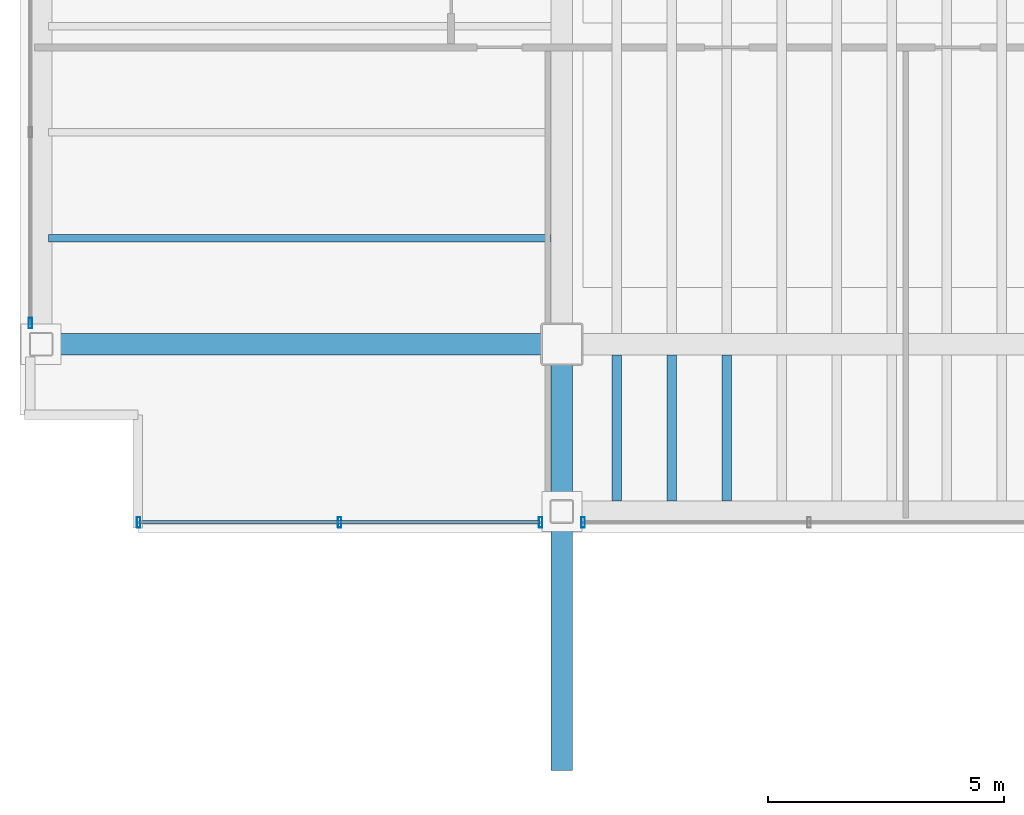
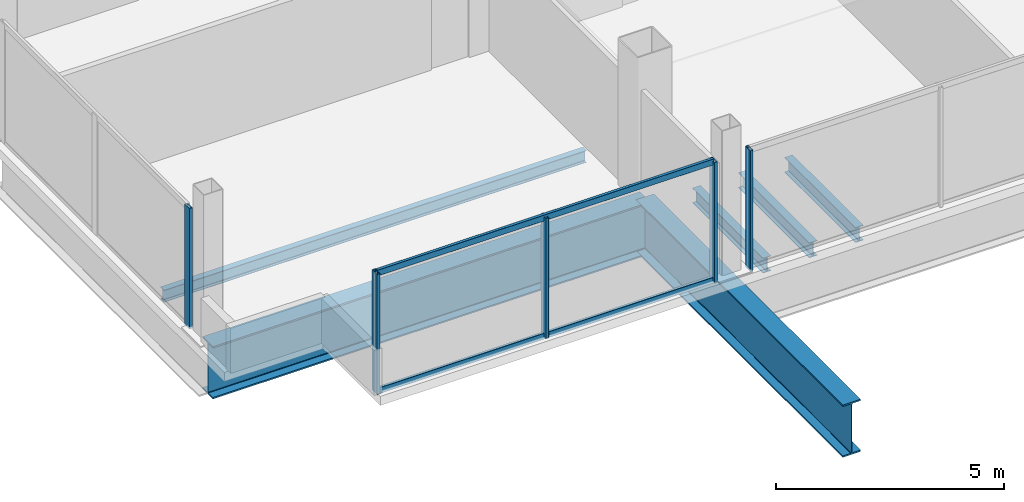
# One storey, part 2 of 24: 7 members, 6 beams, 3 elements without a shape of their own.
"""IFC4 building model written with IfcOpenShell, lengths in metres."""

import ifcopenshell
import ifcopenshell.guid

model = None  # the IFC model being written
_history = None  # IfcOwnerHistory: only IFC2X3 demands one
_inside = {}  # id of a spatial element -> (the spatial element, [elements in it])
_under = {}  # id of a project, library or spatial element -> (it, [spatial elements below it])
_declared = {}  # id of a project -> (the project, [libraries it declares])
_typed = {}  # id of a type object -> (the type object, [elements of that type])
_made_of = {}  # id of a material, layer set ... -> (it, [elements and type objects made of it])


def new_model(schema):
    """Start an empty IFC model of exactly this schema.

    Asked for "IFC4X3", IfcOpenShell would pick the latest addendum, in which some entities
    have other attributes; the version numbers below select the first issue.
    IFC2X3 requires an IfcOwnerHistory on every rooted entity: one is made here for all.
    """
    global model, _history
    if schema == "IFC4X3":
        model = ifcopenshell.file(schema_version=(4, 3, 0, 0))
    else:
        model = ifcopenshell.file(schema=schema)
    _inside.clear()
    _under.clear()
    _declared.clear()
    _typed.clear()
    _made_of.clear()
    _history = None
    if model.schema == "IFC2X3":
        org = make("IfcOrganization", Name="unknown")
        user = make(
            "IfcPersonAndOrganization",
            ThePerson=make("IfcPerson", FamilyName="unknown"),
            TheOrganization=org,
        )
        app = make(
            "IfcApplication",
            ApplicationDeveloper=org,
            Version="unknown",
            ApplicationFullName="unknown",
            ApplicationIdentifier="unknown",
        )
        _history = make(
            "IfcOwnerHistory",
            OwningUser=user,
            OwningApplication=app,
            ChangeAction="ADDED",
            CreationDate=0,
        )
    return model


def make(cls, **values):
    """One entity of the class cls with the attributes given. An attribute that is None is left unset."""
    return model.create_entity(
        cls, **{name: value for name, value in values.items() if value is not None}
    )


def rooted(cls, **values):
    """An entity with a GlobalId (a new one), such as an element, a storey or a relation."""
    return make(cls, GlobalId=ifcopenshell.guid.new(), OwnerHistory=_history, **values)


def si_unit(unit_type, name, prefix=None):
    """IfcSIUnit, for example si_unit("LENGTHUNIT", "METRE", prefix="MILLI")."""
    return make("IfcSIUnit", UnitType=unit_type, Prefix=prefix, Name=name)


def assignment(units):
    """IfcUnitAssignment: the units of a project."""
    return None if units is None else make("IfcUnitAssignment", Units=units)


def point(xyz):
    """IfcCartesianPoint."""
    return None if xyz is None else make("IfcCartesianPoint", Coordinates=xyz)


def direction(xyz):
    """IfcDirection."""
    return None if xyz is None else make("IfcDirection", DirectionRatios=xyz)


def frame(location, z_axis=None, x_axis=None):
    """IfcAxis2Placement3D, a coordinate frame: its origin and axes. An axis left out is left unset."""
    return make(
        "IfcAxis2Placement3D",
        Location=point(location),
        Axis=direction(z_axis),
        RefDirection=direction(x_axis),
    )


def frame_2d(location, x_axis=None):
    """IfcAxis2Placement2D, a coordinate frame in the plane: its origin and x axis."""
    return make(
        "IfcAxis2Placement2D", Location=point(location), RefDirection=direction(x_axis)
    )


def origin():
    """The frame at (0, 0, 0) with its axes left unset."""
    return frame((0.0, 0.0, 0.0))


def origin_2d():
    """The frame at (0, 0) in the plane with its x axis left unset."""
    return frame_2d((0.0, 0.0))


def place(relative_to, where):
    """IfcLocalPlacement: puts the frame where relative to a parent placement (None: the world)."""
    return make(
        "IfcLocalPlacement", PlacementRelTo=relative_to, RelativePlacement=where
    )


def context(
    kind, dimensions, precision=None, world=None, true_north=None, identifier=None
):
    """IfcGeometricRepresentationContext, for example the 3D "Model" context."""
    return make(
        "IfcGeometricRepresentationContext",
        ContextIdentifier=identifier,
        ContextType=kind,
        CoordinateSpaceDimension=dimensions,
        Precision=precision,
        WorldCoordinateSystem=world,
        TrueNorth=true_north,
    )


def subcontext(parent, identifier, kind, view, scale=None):
    """IfcGeometricRepresentationSubContext, for example "Body" below "Model"."""
    return make(
        "IfcGeometricRepresentationSubContext",
        ContextIdentifier=identifier,
        ContextType=kind,
        ParentContext=parent,
        TargetScale=scale,
        TargetView=view,
    )


def project(units=None, contexts=None):
    """IfcProject with its units and contexts."""
    return rooted(
        "IfcProject",
        Name="project",
        RepresentationContexts=contexts,
        UnitsInContext=assignment(units),
    )


def spatial(cls, under=None, at=None, **own):
    """A site, building, storey or space (cls), placed at a placement, below another one or the project."""
    s = rooted(cls, ObjectPlacement=at, **own)
    if under is not None:
        _under.setdefault(under.id(), (under, []))[1].append(s)
    return s


def profile(cls, at=None, kind="AREA", **sizes):
    """A parametric profile (cls). Its sizes go by their IFC names, for example OverallWidth=200.0."""
    return make(cls, ProfileType=kind, Position=at, **sizes)


def hollow_rectangle(**sizes):
    """IfcRectangleHollowProfileDef."""
    return profile("IfcRectangleHollowProfileDef", **sizes)


def i_section(**sizes):
    """IfcIShapeProfileDef."""
    return profile("IfcIShapeProfileDef", **sizes)


def extrude(swept, where, along, depth):
    """IfcExtrudedAreaSolid: the profile swept, set in the frame where, extruded along a direction by depth."""
    return make(
        "IfcExtrudedAreaSolid",
        SweptArea=swept,
        Position=where,
        ExtrudedDirection=direction(along),
        Depth=depth,
    )


def shape(context_of_items, identifier, shape_type, items):
    """IfcShapeRepresentation: the items that make up one representation, for example the "Body"."""
    return make(
        "IfcShapeRepresentation",
        ContextOfItems=context_of_items,
        RepresentationIdentifier=identifier,
        RepresentationType=shape_type,
        Items=items,
    )


def material(Name=None, Category=None):
    """IfcMaterial."""
    return make("IfcMaterial", Name=Name, Category=Category)


def material_profile(
    of_material, cross_section, Name=None, Category=None, Priority=None
):
    """IfcMaterialProfile: a cross section and its material."""
    return make(
        "IfcMaterialProfile",
        Name=Name,
        Material=of_material,
        Profile=cross_section,
        Priority=Priority,
        Category=Category,
    )


def profile_set(profiles, Name=None, composite=None):
    """IfcMaterialProfileSet."""
    return make(
        "IfcMaterialProfileSet",
        Name=Name,
        MaterialProfiles=profiles,
        CompositeProfile=composite,
    )


def made_of(thing, what):
    """Note that an element or type object is made of a material, layer set ...; save() writes the relation."""
    if what is not None:
        _made_of.setdefault(what.id(), (what, []))[1].append(thing)
    return thing


def type_object(cls, material=None, **own):
    """A type object (cls), such as IfcWallType, which elements share."""
    return made_of(rooted(cls, **own), material)


def element(
    cls,
    number,
    at=None,
    inside=None,
    cuts=None,
    type_object=None,
    material=None,
    context=None,
    identifier="Body",
    shape_type=None,
    held_by="IfcProductDefinitionShape",
    body=None,
    shapes=None,
    **own,
):
    """One element of the class cls, such as IfcWall. Its Tag is "e" and its number.

    at: its placement. inside: the storey or other place that contains it. cuts: it is an
    opening in that element (IfcRelVoidsElement). A single representation is given by context,
    identifier, shape_type and body (its items); several are given by shapes. held_by: the class
    of the entity that holds the representations. save() writes the other relations.
    """
    e = rooted(cls, Tag="e%d" % number, ObjectPlacement=at, **own)
    if body is not None:
        shapes = [shape(context, identifier, shape_type, body)]
    if shapes is not None:
        e.Representation = make(held_by, Representations=shapes)
    if inside is not None:
        _inside.setdefault(inside.id(), (inside, []))[1].append(e)
    if cuts is not None:
        rooted(
            "IfcRelVoidsElement", RelatingBuildingElement=cuts, RelatedOpeningElement=e
        )
    if type_object is not None:
        _typed.setdefault(type_object.id(), (type_object, []))[1].append(e)
    return made_of(e, material)


def aggregate(whole, parts):
    """IfcRelAggregates: a whole, such as a stair, and the parts it consists of."""
    return rooted("IfcRelAggregates", RelatingObject=whole, RelatedObjects=parts)


def save(model, path):
    """Write the relations noted so far, then the file.

    IfcRelAggregates (storeys below a building ...), IfcRelContainedInSpatialStructure (elements
    in a storey), IfcRelDefinesByType, IfcRelAssociatesMaterial and IfcRelDeclares: one each for
    every whole, place, type object, material and project.
    """
    for whole, parts in _under.values():
        aggregate(whole, parts)
    for where, things in _inside.values():
        rooted(
            "IfcRelContainedInSpatialStructure",
            RelatedElements=things,
            RelatingStructure=where,
        )
    for kind, things in _typed.values():
        rooted("IfcRelDefinesByType", RelatedObjects=things, RelatingType=kind)
    for what, things in _made_of.values():
        rooted("IfcRelAssociatesMaterial", RelatedObjects=things, RelatingMaterial=what)
    for by, libraries in _declared.values():
        rooted("IfcRelDeclares", RelatingContext=by, RelatedDefinitions=libraries)
    model.write(path)


model = new_model("IFC4")

# Units and contexts
model_context = context("Model", 3, precision=1e-05, world=origin(), true_north=direction((0.0, 1.0)))
body_context = subcontext(model_context, "Body", "Model", "MODEL_VIEW")
ifc_project = project(units=[si_unit("LENGTHUNIT", "METRE"), si_unit("AREAUNIT", "SQUARE_METRE"), si_unit("VOLUMEUNIT", "CUBIC_METRE"), si_unit("PLANEANGLEUNIT", "RADIAN"), si_unit("MASSUNIT", "GRAM", prefix="KILO")], contexts=[model_context])

# Site, building, storey
site_placement = place(None, origin())
site = spatial("IfcSite", under=ifc_project, at=site_placement, CompositionType="ELEMENT")
building_placement = place(site_placement, origin())
building = spatial("IfcBuilding", under=site, at=building_placement, Name="Noeulbin Bourse Tower", CompositionType="ELEMENT")
storey_placement = place(building_placement, frame((0.0, 0.0, 142.199951171875)))
storey = spatial("IfcBuildingStorey", under=building, at=storey_placement, Name="L35", CompositionType="ELEMENT", Elevation=142.199951171875)

# Beams
ifc_material_1 = material(Name="Steel S355", Category="steel")
ifc_material_profile_1 = material_profile(ifc_material_1, i_section(OverallWidth=0.159912109375, OverallDepth=0.320068359375, WebThickness=0.006591796875, FlangeThickness=0.010009765625, FilletRadius=0.012939453125, at=origin_2d()), Name="H-320x160x6.5x10", Category="LoadBearing")
ifc_profile_set_1 = profile_set([ifc_material_profile_1], Name="Steel S355")
beam_type_1 = type_object("IfcBeamType", Name="BM-JST-320", PredefinedType="JOIST", material=ifc_profile_set_1)
beam_1_placement = place(storey_placement, frame((2.60009765625, 22.25, -0.39990234375), z_axis=(1.0, 0.0, 0.0), x_axis=(0.0, 1.0, 0.0)))
element("IfcBeam", 1, at=beam_1_placement, inside=storey, type_object=beam_type_1, Name="Wing Composite Joist L35-W70", PredefinedType="JOIST", context=body_context, shape_type="SweptSolid", body=[
    extrude(i_section(OverallWidth=0.159912109375, OverallDepth=0.320068359375, WebThickness=0.006591796875, FlangeThickness=0.010009765625, FilletRadius=0.012939453125, at=origin_2d()), origin(), (0.0, 0.0, 1.0), 10.6748046875),
])
ifc_material_profile_2 = material_profile(ifc_material_1, i_section(OverallWidth=0.199951171875, OverallDepth=0.39990234375, WebThickness=0.008056640625, FlangeThickness=0.012939453125, FilletRadius=0.01611328125, at=origin_2d()), Name="H-400x200x8x13", Category="LoadBearing")
ifc_profile_set_2 = profile_set([ifc_material_profile_2], Name="Steel S355")
beam_type_2 = type_object("IfcBeamType", Name="BM-SEC-400", PredefinedType="BEAM", material=ifc_profile_set_2)
for number, where, z_axis, x_axis, name in (
    (2, (14.666748046875, 16.675048828125, -0.43994140625), (0.0, 1.0, 0.0), (-1.0, 0.0, 0.0), "Tower Composite Joist L35-01"),
    (3, (15.833251953125, 16.675048828125, -0.43994140625), (0.0, 1.0, 0.0), (-1.0, 0.0, 0.0), "Tower Composite Joist L35-04"),
    (4, (17.0, 16.675048828125, -0.43994140625), (0.0, 1.0, 0.0), (-1.0, 0.0, 0.0), "Tower Composite Joist L35-07"),
):
    element("IfcBeam", number, at=place(storey_placement, frame(where, z_axis=z_axis, x_axis=x_axis)), inside=storey, type_object=beam_type_2, Name=name, PredefinedType="BEAM", context=body_context, shape_type="SweptSolid", body=[
        extrude(i_section(OverallWidth=0.199951171875, OverallDepth=0.39990234375, WebThickness=0.008056640625, FlangeThickness=0.012939453125, FilletRadius=0.01611328125, at=origin_2d()), origin(), (0.0, 0.0, 1.0), 3.099853515625),
    ])
ifc_material_2 = material(Name="Steel S460", Category="steel")
ifc_material_profile_3 = material_profile(ifc_material_2, i_section(OverallWidth=0.449951171875, OverallDepth=1.39990234375, WebThickness=0.02392578125, FlangeThickness=0.0400390625, FilletRadius=0.02392578125, at=origin_2d()), Name="PG-1400x450x24x40", Category="LoadBearing")
ifc_profile_set_3 = profile_set([ifc_material_profile_3], Name="Steel S460")
beam_type_3 = type_object("IfcBeamType", Name="BM-TRF-1400", PredefinedType="USERDEFINED", material=ifc_profile_set_3)
beam_2_placement = place(storey_placement, frame((2.449951171875, 20.0, -0.93994140625), z_axis=(1.0, 0.0, 0.0), x_axis=(0.0, 1.0, 0.0)))
element("IfcBeam", 5, at=beam_2_placement, inside=storey, type_object=beam_type_3, Name="Tower Primary Girder EW L35-1.1", ObjectType="GIRDER", PredefinedType="USERDEFINED", context=body_context, shape_type="SweptSolid", body=[
    extrude(i_section(OverallWidth=0.449951171875, OverallDepth=1.39990234375, WebThickness=0.02392578125, FlangeThickness=0.0400390625, FilletRadius=0.02392578125, at=origin_2d()), origin(), (0.0, 0.0, 1.0), 11.050048828125),
])
beam_3_placement = place(storey_placement, frame((13.5, 10.949951171875, -0.93994140625), z_axis=(0.0, 1.0, 0.0), x_axis=(-1.0, 0.0, 0.0)))
element("IfcBeam", 6, at=beam_3_placement, inside=storey, type_object=beam_type_3, Name="Tower Primary Girder NS L35-1.1", ObjectType="GIRDER", PredefinedType="USERDEFINED", context=body_context, shape_type="SweptSolid", body=[
    extrude(i_section(OverallWidth=0.449951171875, OverallDepth=1.39990234375, WebThickness=0.02392578125, FlangeThickness=0.0400390625, FilletRadius=0.02392578125, at=origin_2d()), origin(), (0.0, 0.0, 1.0), 9.050048828125),
])

# Curtain wall, members
ifc_material_3 = material(Name="Dark Tinted Triple Glazing", Category="glass")
curtain_wall_type = type_object("IfcCurtainWallType", Name="CW-SYS-3", PredefinedType="NOTDEFINED", material=ifc_material_3)
curtain_wall_1_placement = place(storey_placement, origin())
curtain_wall_1 = element("IfcCurtainWall", 7, at=curtain_wall_1_placement, inside=storey, type_object=curtain_wall_type, Name="Unitised Curtain Wall CW-L35-S1-S1", PredefinedType="NOTDEFINED")
ifc_material_4 = material(Name="Anodised Aluminium 6063-T6", Category="aluminium")
ifc_material_profile_4 = material_profile(ifc_material_4, hollow_rectangle(XDim=0.074951171875, YDim=0.219970703125, WallThickness=0.0048828125, InnerFilletRadius=0.00244140625, OuterFilletRadius=0.0048828125, at=origin_2d()), Name="ALU-MULL-75x220x5", Category="LoadBearing")
ifc_profile_set_4 = profile_set([ifc_material_profile_4], Name="Anodised Aluminium 6063-T6")
member_type_1 = type_object("IfcMemberType", Name="CW-SYS-3-MUL", PredefinedType="MULLION", material=ifc_profile_set_4)
member_1_placement = place(storey_placement, frame((4.52001953125, 16.219970703125, -0.02001953125), z_axis=(0.0, 0.0, 1.0), x_axis=(1.0, 0.0, 0.0)))
member_1 = element("IfcMember", 8, at=member_1_placement, type_object=member_type_1, Name="Curtain Wall Mullion CW-L35-S1-S1-M00", PredefinedType="MULLION", context=body_context, shape_type="SweptSolid", body=[
    extrude(hollow_rectangle(XDim=0.074951171875, YDim=0.219970703125, WallThickness=0.0048828125, InnerFilletRadius=0.00244140625, OuterFilletRadius=0.0048828125, at=origin_2d()), origin(), (0.0, 0.0, 1.0), 3.219970703125),
])
member_2_placement = place(storey_placement, frame((8.784912109375, 16.219970703125, -0.02001953125), z_axis=(0.0, 0.0, 1.0), x_axis=(1.0, 0.0, 0.0)))
member_2 = element("IfcMember", 9, at=member_2_placement, type_object=member_type_1, Name="Curtain Wall Mullion CW-L35-S1-S1-M01", PredefinedType="MULLION", context=body_context, shape_type="SweptSolid", body=[
    extrude(hollow_rectangle(XDim=0.074951171875, YDim=0.219970703125, WallThickness=0.0048828125, InnerFilletRadius=0.00244140625, OuterFilletRadius=0.0048828125, at=origin_2d()), origin(), (0.0, 0.0, 1.0), 3.219970703125),
])
member_3_placement = place(storey_placement, frame((13.050048828125, 16.219970703125, -0.02001953125), z_axis=(0.0, 0.0, 1.0), x_axis=(1.0, 0.0, 0.0)))
member_3 = element("IfcMember", 10, at=member_3_placement, type_object=member_type_1, Name="Curtain Wall Mullion CW-L35-S1-S1-M02", PredefinedType="MULLION", context=body_context, shape_type="SweptSolid", body=[
    extrude(hollow_rectangle(XDim=0.074951171875, YDim=0.219970703125, WallThickness=0.0048828125, InnerFilletRadius=0.00244140625, OuterFilletRadius=0.0048828125, at=origin_2d()), origin(), (0.0, 0.0, 1.0), 3.219970703125),
])

# Curtain wall, member
curtain_wall_2_placement = place(storey_placement, origin())
curtain_wall_2 = element("IfcCurtainWall", 11, at=curtain_wall_2_placement, inside=storey, type_object=curtain_wall_type, Name="Unitised Curtain Wall CW-L35-S1-S2", PredefinedType="NOTDEFINED")
member_4_placement = place(storey_placement, frame((13.949951171875, 16.219970703125, -0.02001953125), z_axis=(0.0, 0.0, 1.0), x_axis=(1.0, 0.0, 0.0)))
member_4 = element("IfcMember", 12, at=member_4_placement, type_object=member_type_1, Name="Curtain Wall Mullion CW-L35-S1-S2-M00", PredefinedType="MULLION", context=body_context, shape_type="SweptSolid", body=[
    extrude(hollow_rectangle(XDim=0.074951171875, YDim=0.219970703125, WallThickness=0.0048828125, InnerFilletRadius=0.00244140625, OuterFilletRadius=0.0048828125, at=origin_2d()), origin(), (0.0, 0.0, 1.0), 3.219970703125),
])
aggregate(curtain_wall_2, [member_4])

curtain_wall_3_placement = place(storey_placement, origin())
curtain_wall_3 = element("IfcCurtainWall", 13, at=curtain_wall_3_placement, inside=storey, type_object=curtain_wall_type, Name="Unitised Curtain Wall CW-L35-W-S1", PredefinedType="NOTDEFINED")
member_5_placement = place(storey_placement, frame((2.219970703125, 20.449951171875, -0.02001953125), z_axis=(0.0, 0.0, 1.0), x_axis=(1.0, 0.0, 0.0)))
member_5 = element("IfcMember", 14, at=member_5_placement, type_object=member_type_1, Name="Curtain Wall Mullion CW-L35-W-S1-M00", PredefinedType="MULLION", context=body_context, shape_type="SweptSolid", body=[
    extrude(hollow_rectangle(XDim=0.074951171875, YDim=0.219970703125, WallThickness=0.0048828125, InnerFilletRadius=0.00244140625, OuterFilletRadius=0.0048828125, at=origin_2d()), origin(), (0.0, 0.0, 1.0), 3.219970703125),
])
aggregate(curtain_wall_3, [member_5])

# Member
ifc_material_profile_5 = material_profile(ifc_material_4, hollow_rectangle(XDim=0.074951171875, YDim=0.159912109375, WallThickness=0.0048828125, InnerFilletRadius=0.00244140625, OuterFilletRadius=0.0048828125, at=origin_2d()), Name="ALU-TRAN-75x160x5", Category="LoadBearing")
ifc_profile_set_5 = profile_set([ifc_material_profile_5], Name="Anodised Aluminium 6063-T6")
member_type_2 = type_object("IfcMemberType", Name="CW-SYS-3-TRN", PredefinedType="USERDEFINED", material=ifc_profile_set_5)
member_6_placement = place(storey_placement, frame((4.530029296875, 16.219970703125, 0.010009765625), z_axis=(1.0, 0.0, 0.0), x_axis=(0.0, 1.0, 0.0)))
member_6 = element("IfcMember", 15, at=member_6_placement, type_object=member_type_2, Name="Curtain Wall Transom CW-L35-S1-S1-T00", ObjectType="TRANSOM", PredefinedType="USERDEFINED", context=body_context, shape_type="SweptSolid", body=[
    extrude(hollow_rectangle(XDim=0.074951171875, YDim=0.159912109375, WallThickness=0.0048828125, InnerFilletRadius=0.00244140625, OuterFilletRadius=0.0048828125, at=origin_2d()), origin(), (0.0, 0.0, 1.0), 8.510009765625),
])

member_7_placement = place(storey_placement, frame((4.530029296875, 16.219970703125, 3.170166015625), z_axis=(1.0, 0.0, 0.0), x_axis=(0.0, 1.0, 0.0)))
member_7 = element("IfcMember", 16, at=member_7_placement, type_object=member_type_2, Name="Curtain Wall Transom CW-L35-S1-S1-T01", ObjectType="TRANSOM", PredefinedType="USERDEFINED", context=body_context, shape_type="SweptSolid", body=[
    extrude(hollow_rectangle(XDim=0.074951171875, YDim=0.159912109375, WallThickness=0.0048828125, InnerFilletRadius=0.00244140625, OuterFilletRadius=0.0048828125, at=origin_2d()), origin(), (0.0, 0.0, 1.0), 8.510009765625),
])

aggregate(curtain_wall_1, [member_1, member_2, member_3, member_6, member_7])

save(model, "model.ifc")
